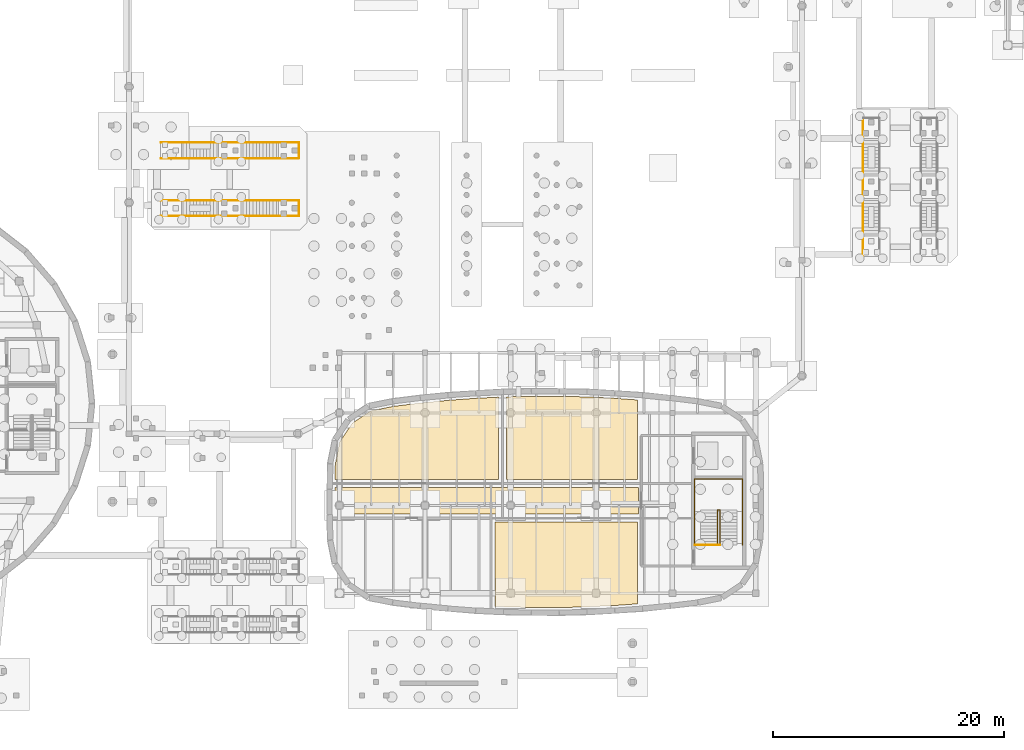
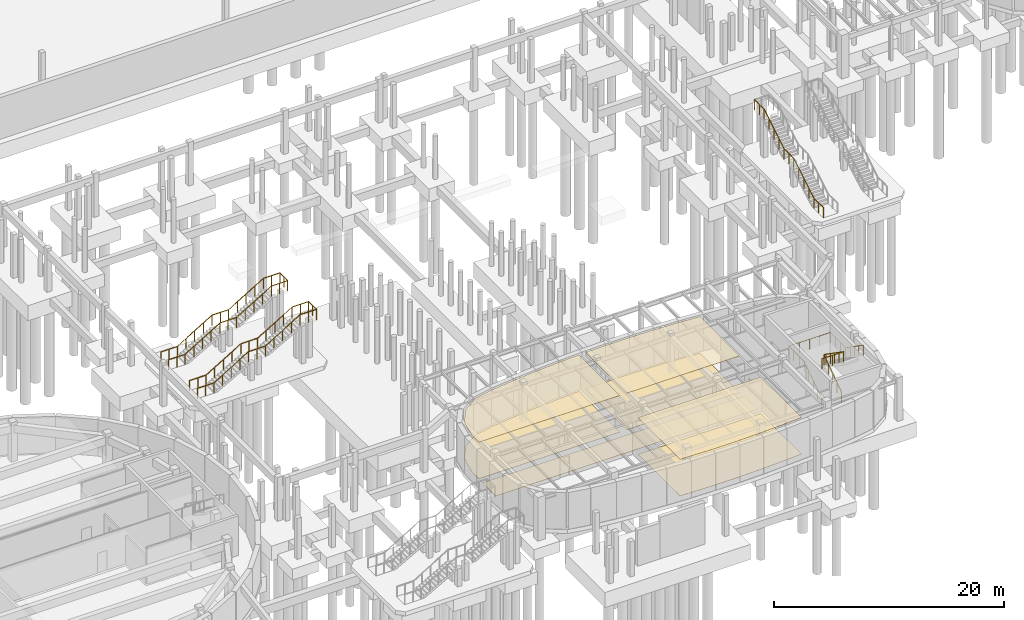
# One storey, part 42 of 45: 10 railings, 7 coverings.
"""IFC4 building model written with IfcOpenShell, lengths in metres."""

from ifc_helpers import new_model, si_unit, direction, frame, origin, origin_2d, place, context, subcontext, project, spatial, polyline, circle, outline, extrude, material, layer, layer_set, type_object, element, save


model = new_model("IFC4")

# Units and contexts
model_context = context("Model", 3, precision=1e-05, world=origin(), true_north=direction((0.0, 1.0)))
body_context = subcontext(model_context, "Body", "Model", "MODEL_VIEW")
ifc_project = project(units=[si_unit("LENGTHUNIT", "METRE"), si_unit("AREAUNIT", "SQUARE_METRE"), si_unit("VOLUMEUNIT", "CUBIC_METRE"), si_unit("PLANEANGLEUNIT", "RADIAN"), si_unit("MASSUNIT", "GRAM", prefix="KILO")], contexts=[model_context])

# Site, building, storey
site_placement = place(None, origin())
site = spatial("IfcSite", under=ifc_project, at=site_placement, CompositionType="ELEMENT")
building_placement = place(site_placement, origin())
building = spatial("IfcBuilding", under=site, at=building_placement, Name="Corveleigh Park Community Centre", CompositionType="ELEMENT")
storey_placement = place(building_placement, frame((0.0, 0.0, -4.199951171875)))
storey = spatial("IfcBuildingStorey", under=building, at=storey_placement, Name="B1", CompositionType="ELEMENT", Elevation=-4.199951171875)

# Coverings
ifc_material_1 = material(Name="Perforated acoustic suspended ceiling", Category="gypsum")
ifc_layer_1 = layer(ifc_material_1, 0.0400390625, Name="Perforated acoustic suspended ceiling", Category="gypsum")
ifc_layer_set_1 = layer_set([ifc_layer_1], Name="Perforated acoustic suspended ceiling")
covering_type_1 = type_object("IfcCoveringType", Name="COV-CLG-ACU", PredefinedType="CEILING", material=ifc_layer_set_1)
covering_1_placement = place(storey_placement, frame((0.0, 0.0, 3.864990234375)))
element("IfcCovering", 1, at=covering_1_placement, inside=storey, type_object=covering_type_1, Name="Bakery Teaching Kitchen acoustic ceiling", PredefinedType="CEILING", context=body_context, shape_type="SweptSolid", body=[
    extrude(outline(polyline([(90.9990234375, 9.9619140625), (88.60107421875, 9.9619140625), (85.43994140625, 10.056884765625), (85.43994140625, 17.360107421875), (97.760009765625, 17.360107421875), (97.760009765625, 10.281005859375), (95.787109375, 10.136962890625), (93.39404296875, 10.02001953125), (90.9990234375, 9.9619140625)])), origin(), (0.0, 0.0, 1.0), 0.0400390625),
])
covering_2_placement = place(storey_placement, frame((0.0, 0.0, 3.864990234375)))
element("IfcCovering", 2, at=covering_2_placement, inside=storey, type_object=covering_type_1, Name="Community Archive Vault acoustic ceiling", PredefinedType="CEILING", context=body_context, shape_type="SweptSolid", body=[
    extrude(outline(polyline([(72.02490234375, 24.2939453125), (73.09912109375, 25.90087890625), (74.7060546875, 26.97509765625), (76.669921875, 27.364990234375), (79.037109375, 27.656005859375), (81.422119140625, 27.888916015625), (83.81298828125, 28.06298828125), (85.760009765625, 28.157958984375), (85.760009765625, 21.0400390625), (71.610107421875, 21.0400390625), (71.638916015625, 22.35205078125), (72.02490234375, 24.2939453125)])), origin(), (0.0, 0.0, 1.0), 0.0400390625),
])
covering_3_placement = place(storey_placement, frame((0.0, 0.0, 3.864990234375)))
element("IfcCovering", 3, at=covering_3_placement, inside=storey, type_object=covering_type_1, Name="Catering Staff Toilets B1 acoustic ceiling", PredefinedType="CEILING", context=body_context, shape_type="SweptSolid", body=[
    extrude(outline(polyline([(95.787109375, 28.06298828125), (97.760009765625, 27.9189453125), (97.760009765625, 21.0400390625), (86.43994140625, 21.0400390625), (86.43994140625, 28.18603515625), (88.60107421875, 28.238037109375), (90.9990234375, 28.238037109375), (93.39404296875, 28.179931640625), (95.787109375, 28.06298828125)])), origin(), (0.0, 0.0, 1.0), 0.0400390625),
])
ifc_material_2 = material(Name="Acoustic linoleum flooring", Category="wood")
ifc_layer_2 = layer(ifc_material_2, 0.02490234375, Name="Acoustic linoleum flooring", Category="wood")
ifc_layer_set_2 = layer_set([ifc_layer_2], Name="Acoustic linoleum flooring")
covering_type_2 = type_object("IfcCoveringType", Name="COV-FLR-LIN", PredefinedType="FLOORING", material=ifc_layer_set_2)
covering_4_placement = place(storey_placement, origin())
element("IfcCovering", 4, at=covering_4_placement, inside=storey, type_object=covering_type_2, Name="Catering Substructure Corridor flooring", PredefinedType="FLOORING", context=body_context, shape_type="SweptSolid", body=[
    extrude(outline(polyline([(97.85009765625, 20.360107421875), (97.85009765625, 18.0400390625), (71.592041015625, 18.0400390625), (71.595947265625, 20.360107421875), (97.85009765625, 20.360107421875)])), origin(), (0.0, 0.0, 1.0), 0.02490234375),
])
covering_5_placement = place(storey_placement, origin())
element("IfcCovering", 5, at=covering_5_placement, inside=storey, type_object=covering_type_2, Name="Bakery Teaching Kitchen flooring", PredefinedType="FLOORING", context=body_context, shape_type="SweptSolid", body=[
    extrude(outline(polyline([(90.9990234375, 9.9619140625), (88.60107421875, 9.9619140625), (85.43994140625, 10.056884765625), (85.43994140625, 17.360107421875), (97.760009765625, 17.360107421875), (97.760009765625, 10.281005859375), (95.787109375, 10.136962890625), (93.39404296875, 10.02001953125), (90.9990234375, 9.9619140625)])), origin(), (0.0, 0.0, 1.0), 0.02490234375),
])
covering_6_placement = place(storey_placement, origin())
element("IfcCovering", 6, at=covering_6_placement, inside=storey, type_object=covering_type_2, Name="Community Archive Vault flooring", PredefinedType="FLOORING", context=body_context, shape_type="SweptSolid", body=[
    extrude(outline(polyline([(72.02490234375, 24.2939453125), (73.09912109375, 25.90087890625), (74.7060546875, 26.97509765625), (76.669921875, 27.364990234375), (79.037109375, 27.656005859375), (81.422119140625, 27.888916015625), (83.81298828125, 28.06298828125), (85.760009765625, 28.157958984375), (85.760009765625, 21.0400390625), (71.610107421875, 21.0400390625), (71.638916015625, 22.35205078125), (72.02490234375, 24.2939453125)])), origin(), (0.0, 0.0, 1.0), 0.02490234375),
])
covering_7_placement = place(storey_placement, origin())
element("IfcCovering", 7, at=covering_7_placement, inside=storey, type_object=covering_type_2, Name="Catering Staff Toilets B1 flooring", PredefinedType="FLOORING", context=body_context, shape_type="SweptSolid", body=[
    extrude(outline(polyline([(95.787109375, 28.06298828125), (97.760009765625, 27.9189453125), (97.760009765625, 21.0400390625), (86.43994140625, 21.0400390625), (86.43994140625, 28.18603515625), (88.60107421875, 28.238037109375), (90.9990234375, 28.238037109375), (93.39404296875, 28.179931640625), (95.787109375, 28.06298828125)])), origin(), (0.0, 0.0, 1.0), 0.02490234375),
])

# Railings
ifc_material_3 = material(Name="Stainless steel 316 balustrade", Category="steel")
railing_type_1 = type_object("IfcRailingType", Name="RLG-BAL-EXT-1100", PredefinedType="BALUSTRADE", material=ifc_material_3)
railing_1_placement = place(storey_placement, frame((56.550048828125, 45.179931640625, 0.0)))
element("IfcRailing", 8, at=railing_1_placement, inside=storey, type_object=railing_type_1, Name="Promenade ST9 guard L", PredefinedType="BALUSTRADE", context=body_context, shape_type="SweptSolid", body=[
    extrude(circle(Radius=0.02392578125, at=origin_2d()), frame((0.0, 0.0, 1.076171875), z_axis=(1.0, 0.0, 0.0), x_axis=(0.0, 1.0, 0.0)), (0.0, 0.0, 1.0), 1.64990234375),
    extrude(circle(Radius=0.02392578125, at=origin_2d()), frame((1.64990234375, 0.0, 1.076171875), z_axis=(0.856202320911, 0.0, 0.516640673647), x_axis=(0.0, 1.0, 0.0)), (0.0, 0.0, 1.0), 4.064453125),
    extrude(circle(Radius=0.02392578125, at=origin_2d()), frame((5.1298828125, 0.0, 3.17578125), z_axis=(1.0, 0.0, 0.0), x_axis=(0.0, 1.0, 0.0)), (0.0, 0.0, 1.0), 1.68017578125),
    extrude(circle(Radius=0.02392578125, at=origin_2d()), frame((6.81005859375, 0.0, 3.17578125), z_axis=(0.856175749803, 0.0, 0.516684706034), x_axis=(0.0, 1.0, 0.0)), (0.0, 0.0, 1.0), 4.064453125),
    extrude(circle(Radius=0.02392578125, at=origin_2d()), frame((10.2900390625, 0.0, 5.27587890625), z_axis=(1.0, 0.0, 0.0), x_axis=(0.0, 1.0, 0.0)), (0.0, 0.0, 1.0), 1.64990234375),
    extrude(circle(Radius=0.02099609375, at=origin_2d()), origin(), (0.0, 0.0, 1.0), 1.052001953125),
    extrude(circle(Radius=0.02099609375, at=origin_2d()), frame((0.824951171875, 0.0, 0.0)), (0.0, 0.0, 1.0), 1.052001953125),
    extrude(circle(Radius=0.02099609375, at=origin_2d()), frame((1.64990234375, 0.0, 0.0)), (0.0, 0.0, 1.0), 1.052001953125),
    extrude(circle(Radius=0.02099609375, at=origin_2d()), frame((2.52001953125, 0.0, 0.52490234375)), (0.0, 0.0, 1.0), 1.052001953125),
    extrude(circle(Radius=0.02099609375, at=origin_2d()), frame((3.389892578125, 0.0, 1.0498046875)), (0.0, 0.0, 1.0), 1.052001953125),
    extrude(circle(Radius=0.02099609375, at=origin_2d()), frame((4.259765625, 0.0, 1.574951171875)), (0.0, 0.0, 1.0), 1.052001953125),
    extrude(circle(Radius=0.02099609375, at=origin_2d()), frame((5.1298828125, 0.0, 2.099853515625)), (0.0, 0.0, 1.0), 1.052001953125),
    extrude(circle(Radius=0.02099609375, at=origin_2d()), frame((5.969970703125, 0.0, 2.099853515625)), (0.0, 0.0, 1.0), 1.052001953125),
    extrude(circle(Radius=0.02099609375, at=origin_2d()), frame((6.81005859375, 0.0, 2.099853515625)), (0.0, 0.0, 1.0), 1.052001953125),
    extrude(circle(Radius=0.02099609375, at=origin_2d()), frame((7.68017578125, 0.0, 2.625)), (0.0, 0.0, 1.0), 1.052001953125),
    extrude(circle(Radius=0.02099609375, at=origin_2d()), frame((8.550048828125, 0.0, 3.14990234375)), (0.0, 0.0, 1.0), 1.052001953125),
    extrude(circle(Radius=0.02099609375, at=origin_2d()), frame((9.419921875, 0.0, 3.6748046875)), (0.0, 0.0, 1.0), 1.052001953125),
    extrude(circle(Radius=0.02099609375, at=origin_2d()), frame((10.2900390625, 0.0, 4.199951171875)), (0.0, 0.0, 1.0), 1.052001953125),
    extrude(circle(Radius=0.02099609375, at=origin_2d()), frame((11.114990234375, 0.0, 4.199951171875)), (0.0, 0.0, 1.0), 1.052001953125),
    extrude(circle(Radius=0.02099609375, at=origin_2d()), frame((11.93994140625, 0.0, 4.199951171875)), (0.0, 0.0, 1.0), 1.052001953125),
])
railing_2_placement = place(storey_placement, frame((56.550048828125, 43.820068359375, 0.0)))
element("IfcRailing", 9, at=railing_2_placement, inside=storey, type_object=railing_type_1, Name="Promenade ST9 guard R", PredefinedType="BALUSTRADE", context=body_context, shape_type="SweptSolid", body=[
    extrude(circle(Radius=0.02392578125, at=origin_2d()), frame((0.0, 0.0, 1.076171875), z_axis=(1.0, 0.0, 0.0), x_axis=(0.0, 1.0, 0.0)), (0.0, 0.0, 1.0), 1.64990234375),
    extrude(circle(Radius=0.02392578125, at=origin_2d()), frame((1.64990234375, 0.0, 1.076171875), z_axis=(0.856202320911, 0.0, 0.516640673647), x_axis=(0.0, 1.0, 0.0)), (0.0, 0.0, 1.0), 4.064453125),
    extrude(circle(Radius=0.02392578125, at=origin_2d()), frame((5.1298828125, 0.0, 3.17578125), z_axis=(1.0, 0.0, 0.0), x_axis=(0.0, 1.0, 0.0)), (0.0, 0.0, 1.0), 1.68017578125),
    extrude(circle(Radius=0.02392578125, at=origin_2d()), frame((6.81005859375, 0.0, 3.17578125), z_axis=(0.856175749803, 0.0, 0.516684706034), x_axis=(0.0, 1.0, 0.0)), (0.0, 0.0, 1.0), 4.064453125),
    extrude(circle(Radius=0.02392578125, at=origin_2d()), frame((10.2900390625, 0.0, 5.27587890625), z_axis=(1.0, 0.0, 0.0), x_axis=(0.0, 1.0, 0.0)), (0.0, 0.0, 1.0), 1.64990234375),
    extrude(circle(Radius=0.02099609375, at=origin_2d()), origin(), (0.0, 0.0, 1.0), 1.052001953125),
    extrude(circle(Radius=0.02099609375, at=origin_2d()), frame((0.824951171875, 0.0, 0.0)), (0.0, 0.0, 1.0), 1.052001953125),
    extrude(circle(Radius=0.02099609375, at=origin_2d()), frame((1.64990234375, 0.0, 0.0)), (0.0, 0.0, 1.0), 1.052001953125),
    extrude(circle(Radius=0.02099609375, at=origin_2d()), frame((2.52001953125, 0.0, 0.52490234375)), (0.0, 0.0, 1.0), 1.052001953125),
    extrude(circle(Radius=0.02099609375, at=origin_2d()), frame((3.389892578125, 0.0, 1.0498046875)), (0.0, 0.0, 1.0), 1.052001953125),
    extrude(circle(Radius=0.02099609375, at=origin_2d()), frame((4.259765625, 0.0, 1.574951171875)), (0.0, 0.0, 1.0), 1.052001953125),
    extrude(circle(Radius=0.02099609375, at=origin_2d()), frame((5.1298828125, 0.0, 2.099853515625)), (0.0, 0.0, 1.0), 1.052001953125),
    extrude(circle(Radius=0.02099609375, at=origin_2d()), frame((5.969970703125, 0.0, 2.099853515625)), (0.0, 0.0, 1.0), 1.052001953125),
    extrude(circle(Radius=0.02099609375, at=origin_2d()), frame((6.81005859375, 0.0, 2.099853515625)), (0.0, 0.0, 1.0), 1.052001953125),
    extrude(circle(Radius=0.02099609375, at=origin_2d()), frame((7.68017578125, 0.0, 2.625)), (0.0, 0.0, 1.0), 1.052001953125),
    extrude(circle(Radius=0.02099609375, at=origin_2d()), frame((8.550048828125, 0.0, 3.14990234375)), (0.0, 0.0, 1.0), 1.052001953125),
    extrude(circle(Radius=0.02099609375, at=origin_2d()), frame((9.419921875, 0.0, 3.6748046875)), (0.0, 0.0, 1.0), 1.052001953125),
    extrude(circle(Radius=0.02099609375, at=origin_2d()), frame((10.2900390625, 0.0, 4.199951171875)), (0.0, 0.0, 1.0), 1.052001953125),
    extrude(circle(Radius=0.02099609375, at=origin_2d()), frame((11.114990234375, 0.0, 4.199951171875)), (0.0, 0.0, 1.0), 1.052001953125),
    extrude(circle(Radius=0.02099609375, at=origin_2d()), frame((11.93994140625, 0.0, 4.199951171875)), (0.0, 0.0, 1.0), 1.052001953125),
])
railing_3_placement = place(storey_placement, frame((68.489990234375, 43.830078125, 4.199951171875)))
element("IfcRailing", 10, at=railing_3_placement, inside=storey, type_object=railing_type_1, Name="Promenade ST9 top guard", PredefinedType="BALUSTRADE", context=body_context, shape_type="SweptSolid", body=[
    extrude(circle(Radius=0.02392578125, at=origin_2d()), frame((0.0, 0.0, 1.076171875), z_axis=(0.0, 1.0, 0.0), x_axis=(-1.0, 0.0, 0.0)), (0.0, 0.0, 1.0), 1.33984375),
    extrude(circle(Radius=0.02099609375, at=origin_2d()), origin(), (0.0, 0.0, 1.0), 1.052001953125),
    extrude(circle(Radius=0.02099609375, at=origin_2d()), frame((0.0, 0.669921875, 0.0)), (0.0, 0.0, 1.0), 1.052001953125),
    extrude(circle(Radius=0.02099609375, at=origin_2d()), frame((0.0, 1.33984375, 0.0)), (0.0, 0.0, 1.0), 1.052001953125),
])
railing_4_placement = place(storey_placement, frame((56.550048828125, 50.179931640625, 0.0)))
element("IfcRailing", 11, at=railing_4_placement, inside=storey, type_object=railing_type_1, Name="Promenade ST10 guard L", PredefinedType="BALUSTRADE", context=body_context, shape_type="SweptSolid", body=[
    extrude(circle(Radius=0.02392578125, at=origin_2d()), frame((0.0, 0.0, 1.076171875), z_axis=(1.0, 0.0, 0.0), x_axis=(0.0, 1.0, 0.0)), (0.0, 0.0, 1.0), 1.64990234375),
    extrude(circle(Radius=0.02392578125, at=origin_2d()), frame((1.64990234375, 0.0, 1.076171875), z_axis=(0.856202320911, 0.0, 0.516640673647), x_axis=(0.0, 1.0, 0.0)), (0.0, 0.0, 1.0), 4.064453125),
    extrude(circle(Radius=0.02392578125, at=origin_2d()), frame((5.1298828125, 0.0, 3.17578125), z_axis=(1.0, 0.0, 0.0), x_axis=(0.0, 1.0, 0.0)), (0.0, 0.0, 1.0), 1.68017578125),
    extrude(circle(Radius=0.02392578125, at=origin_2d()), frame((6.81005859375, 0.0, 3.17578125), z_axis=(0.856175749803, 0.0, 0.516684706034), x_axis=(0.0, 1.0, 0.0)), (0.0, 0.0, 1.0), 4.064453125),
    extrude(circle(Radius=0.02392578125, at=origin_2d()), frame((10.2900390625, 0.0, 5.27587890625), z_axis=(1.0, 0.0, 0.0), x_axis=(0.0, 1.0, 0.0)), (0.0, 0.0, 1.0), 1.64990234375),
    extrude(circle(Radius=0.02099609375, at=origin_2d()), origin(), (0.0, 0.0, 1.0), 1.052001953125),
    extrude(circle(Radius=0.02099609375, at=origin_2d()), frame((0.824951171875, 0.0, 0.0)), (0.0, 0.0, 1.0), 1.052001953125),
    extrude(circle(Radius=0.02099609375, at=origin_2d()), frame((1.64990234375, 0.0, 0.0)), (0.0, 0.0, 1.0), 1.052001953125),
    extrude(circle(Radius=0.02099609375, at=origin_2d()), frame((2.52001953125, 0.0, 0.52490234375)), (0.0, 0.0, 1.0), 1.052001953125),
    extrude(circle(Radius=0.02099609375, at=origin_2d()), frame((3.389892578125, 0.0, 1.0498046875)), (0.0, 0.0, 1.0), 1.052001953125),
    extrude(circle(Radius=0.02099609375, at=origin_2d()), frame((4.259765625, 0.0, 1.574951171875)), (0.0, 0.0, 1.0), 1.052001953125),
    extrude(circle(Radius=0.02099609375, at=origin_2d()), frame((5.1298828125, 0.0, 2.099853515625)), (0.0, 0.0, 1.0), 1.052001953125),
    extrude(circle(Radius=0.02099609375, at=origin_2d()), frame((5.969970703125, 0.0, 2.099853515625)), (0.0, 0.0, 1.0), 1.052001953125),
    extrude(circle(Radius=0.02099609375, at=origin_2d()), frame((6.81005859375, 0.0, 2.099853515625)), (0.0, 0.0, 1.0), 1.052001953125),
    extrude(circle(Radius=0.02099609375, at=origin_2d()), frame((7.68017578125, 0.0, 2.625)), (0.0, 0.0, 1.0), 1.052001953125),
    extrude(circle(Radius=0.02099609375, at=origin_2d()), frame((8.550048828125, 0.0, 3.14990234375)), (0.0, 0.0, 1.0), 1.052001953125),
    extrude(circle(Radius=0.02099609375, at=origin_2d()), frame((9.419921875, 0.0, 3.6748046875)), (0.0, 0.0, 1.0), 1.052001953125),
    extrude(circle(Radius=0.02099609375, at=origin_2d()), frame((10.2900390625, 0.0, 4.199951171875)), (0.0, 0.0, 1.0), 1.052001953125),
    extrude(circle(Radius=0.02099609375, at=origin_2d()), frame((11.114990234375, 0.0, 4.199951171875)), (0.0, 0.0, 1.0), 1.052001953125),
    extrude(circle(Radius=0.02099609375, at=origin_2d()), frame((11.93994140625, 0.0, 4.199951171875)), (0.0, 0.0, 1.0), 1.052001953125),
])
railing_5_placement = place(storey_placement, frame((56.550048828125, 48.820068359375, 0.0)))
element("IfcRailing", 12, at=railing_5_placement, inside=storey, type_object=railing_type_1, Name="Promenade ST10 guard R", PredefinedType="BALUSTRADE", context=body_context, shape_type="SweptSolid", body=[
    extrude(circle(Radius=0.02392578125, at=origin_2d()), frame((0.0, 0.0, 1.076171875), z_axis=(1.0, 0.0, 0.0), x_axis=(0.0, 1.0, 0.0)), (0.0, 0.0, 1.0), 1.64990234375),
    extrude(circle(Radius=0.02392578125, at=origin_2d()), frame((1.64990234375, 0.0, 1.076171875), z_axis=(0.856202320911, 0.0, 0.516640673647), x_axis=(0.0, 1.0, 0.0)), (0.0, 0.0, 1.0), 4.064453125),
    extrude(circle(Radius=0.02392578125, at=origin_2d()), frame((5.1298828125, 0.0, 3.17578125), z_axis=(1.0, 0.0, 0.0), x_axis=(0.0, 1.0, 0.0)), (0.0, 0.0, 1.0), 1.68017578125),
    extrude(circle(Radius=0.02392578125, at=origin_2d()), frame((6.81005859375, 0.0, 3.17578125), z_axis=(0.856175749803, 0.0, 0.516684706034), x_axis=(0.0, 1.0, 0.0)), (0.0, 0.0, 1.0), 4.064453125),
    extrude(circle(Radius=0.02392578125, at=origin_2d()), frame((10.2900390625, 0.0, 5.27587890625), z_axis=(1.0, 0.0, 0.0), x_axis=(0.0, 1.0, 0.0)), (0.0, 0.0, 1.0), 1.64990234375),
    extrude(circle(Radius=0.02099609375, at=origin_2d()), origin(), (0.0, 0.0, 1.0), 1.052001953125),
    extrude(circle(Radius=0.02099609375, at=origin_2d()), frame((0.824951171875, 0.0, 0.0)), (0.0, 0.0, 1.0), 1.052001953125),
    extrude(circle(Radius=0.02099609375, at=origin_2d()), frame((1.64990234375, 0.0, 0.0)), (0.0, 0.0, 1.0), 1.052001953125),
    extrude(circle(Radius=0.02099609375, at=origin_2d()), frame((2.52001953125, 0.0, 0.52490234375)), (0.0, 0.0, 1.0), 1.052001953125),
    extrude(circle(Radius=0.02099609375, at=origin_2d()), frame((3.389892578125, 0.0, 1.0498046875)), (0.0, 0.0, 1.0), 1.052001953125),
    extrude(circle(Radius=0.02099609375, at=origin_2d()), frame((4.259765625, 0.0, 1.574951171875)), (0.0, 0.0, 1.0), 1.052001953125),
    extrude(circle(Radius=0.02099609375, at=origin_2d()), frame((5.1298828125, 0.0, 2.099853515625)), (0.0, 0.0, 1.0), 1.052001953125),
    extrude(circle(Radius=0.02099609375, at=origin_2d()), frame((5.969970703125, 0.0, 2.099853515625)), (0.0, 0.0, 1.0), 1.052001953125),
    extrude(circle(Radius=0.02099609375, at=origin_2d()), frame((6.81005859375, 0.0, 2.099853515625)), (0.0, 0.0, 1.0), 1.052001953125),
    extrude(circle(Radius=0.02099609375, at=origin_2d()), frame((7.68017578125, 0.0, 2.625)), (0.0, 0.0, 1.0), 1.052001953125),
    extrude(circle(Radius=0.02099609375, at=origin_2d()), frame((8.550048828125, 0.0, 3.14990234375)), (0.0, 0.0, 1.0), 1.052001953125),
    extrude(circle(Radius=0.02099609375, at=origin_2d()), frame((9.419921875, 0.0, 3.6748046875)), (0.0, 0.0, 1.0), 1.052001953125),
    extrude(circle(Radius=0.02099609375, at=origin_2d()), frame((10.2900390625, 0.0, 4.199951171875)), (0.0, 0.0, 1.0), 1.052001953125),
    extrude(circle(Radius=0.02099609375, at=origin_2d()), frame((11.114990234375, 0.0, 4.199951171875)), (0.0, 0.0, 1.0), 1.052001953125),
    extrude(circle(Radius=0.02099609375, at=origin_2d()), frame((11.93994140625, 0.0, 4.199951171875)), (0.0, 0.0, 1.0), 1.052001953125),
])
railing_6_placement = place(storey_placement, frame((68.489990234375, 48.830078125, 4.199951171875)))
element("IfcRailing", 13, at=railing_6_placement, inside=storey, type_object=railing_type_1, Name="Promenade ST10 top guard", PredefinedType="BALUSTRADE", context=body_context, shape_type="SweptSolid", body=[
    extrude(circle(Radius=0.02392578125, at=origin_2d()), frame((0.0, 0.0, 1.076171875), z_axis=(0.0, 1.0, 0.0), x_axis=(-1.0, 0.0, 0.0)), (0.0, 0.0, 1.0), 1.33984375),
    extrude(circle(Radius=0.02099609375, at=origin_2d()), origin(), (0.0, 0.0, 1.0), 1.052001953125),
    extrude(circle(Radius=0.02099609375, at=origin_2d()), frame((0.0, 0.669921875, 0.0)), (0.0, 0.0, 1.0), 1.052001953125),
    extrude(circle(Radius=0.02099609375, at=origin_2d()), frame((0.0, 1.33984375, 0.0)), (0.0, 0.0, 1.0), 1.052001953125),
])
railing_7_placement = place(storey_placement, frame((117.294921875, 40.35009765625, 0.0)))
element("IfcRailing", 14, at=railing_7_placement, inside=storey, type_object=railing_type_1, Name="Promenade ST11 guard L", PredefinedType="BALUSTRADE", context=body_context, shape_type="SweptSolid", body=[
    extrude(circle(Radius=0.02392578125, at=origin_2d()), frame((0.0, 0.0, 1.076171875), z_axis=(0.0, 1.0, 0.0), x_axis=(-1.0, 0.0, 0.0)), (0.0, 0.0, 1.0), 1.64990234375),
    extrude(circle(Radius=0.02392578125, at=origin_2d()), frame((0.0, 1.64990234375, 1.076171875), z_axis=(0.0, 0.856202320911, 0.516640673647), x_axis=(-1.0, 0.0, 0.0)), (0.0, 0.0, 1.0), 4.064453125),
    extrude(circle(Radius=0.02392578125, at=origin_2d()), frame((0.0, 5.1298828125, 3.17578125), z_axis=(0.0, 1.0, 0.0), x_axis=(-1.0, 0.0, 0.0)), (0.0, 0.0, 1.0), 1.679931640625),
    extrude(circle(Radius=0.02392578125, at=origin_2d()), frame((0.0, 6.809814453125, 3.17578125), z_axis=(0.0, 0.856175749803, 0.516684706034), x_axis=(-1.0, 0.0, 0.0)), (0.0, 0.0, 1.0), 4.064453125),
    extrude(circle(Radius=0.02392578125, at=origin_2d()), frame((0.0, 10.289794921875, 5.27587890625), z_axis=(0.0, 1.0, 0.0), x_axis=(-1.0, 0.0, 0.0)), (0.0, 0.0, 1.0), 1.650146484375),
    extrude(circle(Radius=0.02099609375, at=origin_2d()), origin(), (0.0, 0.0, 1.0), 1.052001953125),
    extrude(circle(Radius=0.02099609375, at=origin_2d()), frame((0.0, 0.824951171875, 0.0)), (0.0, 0.0, 1.0), 1.052001953125),
    extrude(circle(Radius=0.02099609375, at=origin_2d()), frame((0.0, 1.64990234375, 0.0)), (0.0, 0.0, 1.0), 1.052001953125),
    extrude(circle(Radius=0.02099609375, at=origin_2d()), frame((0.0, 2.52001953125, 0.52490234375)), (0.0, 0.0, 1.0), 1.052001953125),
    extrude(circle(Radius=0.02099609375, at=origin_2d()), frame((0.0, 3.389892578125, 1.0498046875)), (0.0, 0.0, 1.0), 1.052001953125),
    extrude(circle(Radius=0.02099609375, at=origin_2d()), frame((0.0, 4.259765625, 1.574951171875)), (0.0, 0.0, 1.0), 1.052001953125),
    extrude(circle(Radius=0.02099609375, at=origin_2d()), frame((0.0, 5.1298828125, 2.099853515625)), (0.0, 0.0, 1.0), 1.052001953125),
    extrude(circle(Radius=0.02099609375, at=origin_2d()), frame((0.0, 5.9697265625, 2.099853515625)), (0.0, 0.0, 1.0), 1.052001953125),
    extrude(circle(Radius=0.02099609375, at=origin_2d()), frame((0.0, 6.809814453125, 2.099853515625)), (0.0, 0.0, 1.0), 1.052001953125),
    extrude(circle(Radius=0.02099609375, at=origin_2d()), frame((0.0, 7.6796875, 2.625)), (0.0, 0.0, 1.0), 1.052001953125),
    extrude(circle(Radius=0.02099609375, at=origin_2d()), frame((0.0, 8.5498046875, 3.14990234375)), (0.0, 0.0, 1.0), 1.052001953125),
    extrude(circle(Radius=0.02099609375, at=origin_2d()), frame((0.0, 9.419921875, 3.6748046875)), (0.0, 0.0, 1.0), 1.052001953125),
    extrude(circle(Radius=0.02099609375, at=origin_2d()), frame((0.0, 10.289794921875, 4.199951171875)), (0.0, 0.0, 1.0), 1.052001953125),
    extrude(circle(Radius=0.02099609375, at=origin_2d()), frame((0.0, 11.11474609375, 4.199951171875)), (0.0, 0.0, 1.0), 1.052001953125),
    extrude(circle(Radius=0.02099609375, at=origin_2d()), frame((0.0, 11.93994140625, 4.199951171875)), (0.0, 0.0, 1.0), 1.052001953125),
])
railing_type_2 = type_object("IfcRailingType", Name="RLG-BAL-INT-1100", PredefinedType="BALUSTRADE", material=ifc_material_3)
railing_8_placement = place(storey_placement, frame((104.699951171875, 15.3798828125, 0.0)))
element("IfcRailing", 15, at=railing_8_placement, inside=storey, type_object=railing_type_2, Name="Stair ST4 inner guard B1", PredefinedType="BALUSTRADE", context=body_context, shape_type="SweptSolid", body=[
    extrude(circle(Radius=0.02392578125, at=origin_2d()), frame((0.0, 0.0, 1.076171875), z_axis=(0.0, 0.821489876267, 0.570223099489), x_axis=(-1.0, 0.0, 0.0)), (0.0, 0.0, 1.0), 3.6826171875),
    extrude(circle(Radius=0.02392578125, at=origin_2d()), frame((0.0, 3.025146484375, 3.17578125), z_axis=(1.0, 0.0, 0.0), x_axis=(0.0, 1.0, 0.0)), (0.0, 0.0, 1.0), 0.199951171875),
    extrude(circle(Radius=0.02392578125, at=origin_2d()), frame((0.199951171875, 3.025146484375, 3.17578125), z_axis=(0.0, -0.821458820411, 0.570267837396), x_axis=(1.0, 0.0, 0.0)), (0.0, 0.0, 1.0), 3.6826171875),
    extrude(circle(Radius=0.02099609375, at=origin_2d()), origin(), (0.0, 0.0, 1.0), 1.052001953125),
    extrude(circle(Radius=0.02099609375, at=origin_2d()), frame((0.0, 0.75634765625, 0.52490234375)), (0.0, 0.0, 1.0), 1.052001953125),
    extrude(circle(Radius=0.02099609375, at=origin_2d()), frame((0.0, 1.5126953125, 1.0498046875)), (0.0, 0.0, 1.0), 1.052001953125),
    extrude(circle(Radius=0.02099609375, at=origin_2d()), frame((0.0, 2.268798828125, 1.574951171875)), (0.0, 0.0, 1.0), 1.052001953125),
    extrude(circle(Radius=0.02099609375, at=origin_2d()), frame((0.0, 3.025146484375, 2.099853515625)), (0.0, 0.0, 1.0), 1.052001953125),
    extrude(circle(Radius=0.02099609375, at=origin_2d()), frame((0.199951171875, 3.025146484375, 2.099853515625)), (0.0, 0.0, 1.0), 1.052001953125),
    extrude(circle(Radius=0.02099609375, at=origin_2d()), frame((0.199951171875, 2.268798828125, 2.625)), (0.0, 0.0, 1.0), 1.052001953125),
    extrude(circle(Radius=0.02099609375, at=origin_2d()), frame((0.199951171875, 1.5126953125, 3.14990234375)), (0.0, 0.0, 1.0), 1.052001953125),
    extrude(circle(Radius=0.02099609375, at=origin_2d()), frame((0.199951171875, 0.75634765625, 3.6748046875)), (0.0, 0.0, 1.0), 1.052001953125),
    extrude(circle(Radius=0.02099609375, at=origin_2d()), frame((0.199951171875, 0.0, 4.199951171875)), (0.0, 0.0, 1.0), 1.052001953125),
])
railing_9_placement = place(storey_placement, frame((102.741943359375, 15.3798828125, 4.199951171875)))
element("IfcRailing", 16, at=railing_9_placement, inside=storey, type_object=railing_type_2, Name="Stair ST4 landing guard B1", PredefinedType="BALUSTRADE", context=body_context, shape_type="SweptSolid", body=[
    extrude(circle(Radius=0.02392578125, at=origin_2d()), frame((0.0, 0.0, 1.076171875), z_axis=(1.0, 0.0, 0.0), x_axis=(0.0, 1.0, 0.0)), (0.0, 0.0, 1.0), 2.157958984375),
    extrude(circle(Radius=0.02099609375, at=origin_2d()), origin(), (0.0, 0.0, 1.0), 1.052001953125),
    extrude(circle(Radius=0.02099609375, at=origin_2d()), frame((1.0791015625, 0.0, 0.0)), (0.0, 0.0, 1.0), 1.052001953125),
    extrude(circle(Radius=0.02099609375, at=origin_2d()), frame((2.157958984375, 0.0, 0.0)), (0.0, 0.0, 1.0), 1.052001953125),
])
railing_10_placement = place(storey_placement, frame((102.721923828125, 15.3798828125, 0.0)))
element("IfcRailing", 17, at=railing_10_placement, inside=storey, type_object=railing_type_2, Name="Stair ST4 perimeter guard B1", PredefinedType="BALUSTRADE", context=body_context, shape_type="SweptSolid", body=[
    extrude(circle(Radius=0.02392578125, at=origin_2d()), frame((0.0, 0.0, 1.076171875), z_axis=(0.0, 0.821489876267, 0.570223099489), x_axis=(-1.0, 0.0, 0.0)), (0.0, 0.0, 1.0), 3.6826171875),
    extrude(circle(Radius=0.02392578125, at=origin_2d()), frame((0.0, 3.025146484375, 3.17578125), z_axis=(0.0, 1.0, 0.0), x_axis=(-1.0, 0.0, 0.0)), (0.0, 0.0, 1.0), 2.68798828125),
    extrude(circle(Radius=0.02392578125, at=origin_2d()), frame((0.0, 5.713134765625, 3.17578125), z_axis=(1.0, 0.0, 0.0), x_axis=(0.0, 1.0, 0.0)), (0.0, 0.0, 1.0), 4.156005859375),
    extrude(circle(Radius=0.02392578125, at=origin_2d()), frame((4.156005859375, 5.713134765625, 3.17578125), z_axis=(0.0, -1.0, 0.0), x_axis=(1.0, 0.0, 0.0)), (0.0, 0.0, 1.0), 2.68798828125),
    extrude(circle(Radius=0.02392578125, at=origin_2d()), frame((4.156005859375, 3.025146484375, 3.17578125), z_axis=(0.0, -0.821458820411, 0.570267837396), x_axis=(1.0, 0.0, 0.0)), (0.0, 0.0, 1.0), 3.6826171875),
    extrude(circle(Radius=0.02099609375, at=origin_2d()), origin(), (0.0, 0.0, 1.0), 1.052001953125),
    extrude(circle(Radius=0.02099609375, at=origin_2d()), frame((0.0, 0.75634765625, 0.52490234375)), (0.0, 0.0, 1.0), 1.052001953125),
    extrude(circle(Radius=0.02099609375, at=origin_2d()), frame((0.0, 1.5126953125, 1.0498046875)), (0.0, 0.0, 1.0), 1.052001953125),
    extrude(circle(Radius=0.02099609375, at=origin_2d()), frame((0.0, 2.268798828125, 1.574951171875)), (0.0, 0.0, 1.0), 1.052001953125),
    extrude(circle(Radius=0.02099609375, at=origin_2d()), frame((0.0, 3.025146484375, 2.099853515625)), (0.0, 0.0, 1.0), 1.052001953125),
    extrude(circle(Radius=0.02099609375, at=origin_2d()), frame((0.0, 3.921142578125, 2.099853515625)), (0.0, 0.0, 1.0), 1.052001953125),
    extrude(circle(Radius=0.02099609375, at=origin_2d()), frame((0.0, 4.817138671875, 2.099853515625)), (0.0, 0.0, 1.0), 1.052001953125),
    extrude(circle(Radius=0.02099609375, at=origin_2d()), frame((0.0, 5.713134765625, 2.099853515625)), (0.0, 0.0, 1.0), 1.052001953125),
    extrude(circle(Radius=0.02099609375, at=origin_2d()), frame((1.0390625, 5.713134765625, 2.099853515625)), (0.0, 0.0, 1.0), 1.052001953125),
    extrude(circle(Radius=0.02099609375, at=origin_2d()), frame((2.078125, 5.713134765625, 2.099853515625)), (0.0, 0.0, 1.0), 1.052001953125),
    extrude(circle(Radius=0.02099609375, at=origin_2d()), frame((3.116943359375, 5.713134765625, 2.099853515625)), (0.0, 0.0, 1.0), 1.052001953125),
    extrude(circle(Radius=0.02099609375, at=origin_2d()), frame((4.156005859375, 5.713134765625, 2.099853515625)), (0.0, 0.0, 1.0), 1.052001953125),
    extrude(circle(Radius=0.02099609375, at=origin_2d()), frame((4.156005859375, 4.817138671875, 2.099853515625)), (0.0, 0.0, 1.0), 1.052001953125),
    extrude(circle(Radius=0.02099609375, at=origin_2d()), frame((4.156005859375, 3.921142578125, 2.099853515625)), (0.0, 0.0, 1.0), 1.052001953125),
    extrude(circle(Radius=0.02099609375, at=origin_2d()), frame((4.156005859375, 3.025146484375, 2.099853515625)), (0.0, 0.0, 1.0), 1.052001953125),
    extrude(circle(Radius=0.02099609375, at=origin_2d()), frame((4.156005859375, 2.268798828125, 2.625)), (0.0, 0.0, 1.0), 1.052001953125),
    extrude(circle(Radius=0.02099609375, at=origin_2d()), frame((4.156005859375, 1.5126953125, 3.14990234375)), (0.0, 0.0, 1.0), 1.052001953125),
    extrude(circle(Radius=0.02099609375, at=origin_2d()), frame((4.156005859375, 0.75634765625, 3.6748046875)), (0.0, 0.0, 1.0), 1.052001953125),
    extrude(circle(Radius=0.02099609375, at=origin_2d()), frame((4.156005859375, 0.0, 4.199951171875)), (0.0, 0.0, 1.0), 1.052001953125),
])

save(model, "model.ifc")
